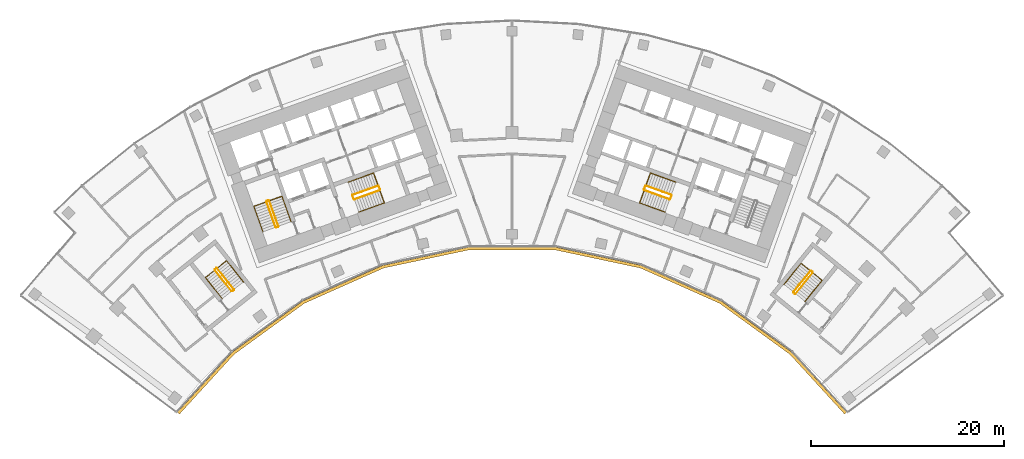
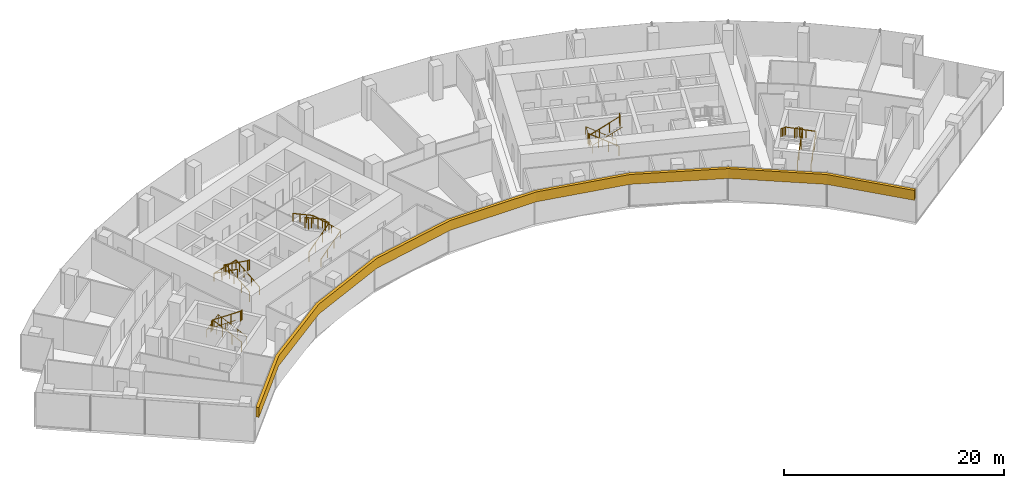
# One storey, part 20 of 21: 15 railings, 1 covering.
"""IFC4 building model written with IfcOpenShell, lengths in metres."""

from ifc_helpers import new_model, si_unit, direction, frame, origin, origin_2d, place, context, subcontext, project, spatial, polyline, circle, outline, extrude, material, layer, layer_set, type_object, element, save


model = new_model("IFC4")

# Units and contexts
model_context = context("Model", 3, precision=1e-05, world=origin(), true_north=direction((0.0, 1.0)))
body_context = subcontext(model_context, "Body", "Model", "MODEL_VIEW")
ifc_project = project(units=[si_unit("LENGTHUNIT", "METRE"), si_unit("AREAUNIT", "SQUARE_METRE"), si_unit("VOLUMEUNIT", "CUBIC_METRE"), si_unit("PLANEANGLEUNIT", "RADIAN"), si_unit("MASSUNIT", "GRAM", prefix="KILO")], contexts=[model_context])

# Site, building, storey
site_placement = place(None, origin())
site = spatial("IfcSite", under=ifc_project, at=site_placement, CompositionType="ELEMENT")
building_placement = place(site_placement, origin())
building = spatial("IfcBuilding", under=site, at=building_placement, Name="Stone Belt Terrace Tower", CompositionType="ELEMENT")
storey_placement = place(building_placement, frame((0.0, 0.0, 151.60009765625)))
storey = spatial("IfcBuildingStorey", under=building, at=storey_placement, Name="L36", CompositionType="ELEMENT", Elevation=151.60009765625)

# Railings
ifc_material_1 = material(Name="Structural steel C345", Category="steel")
railing_type_1 = type_object("IfcRailingType", Name="Stair guard 1100", PredefinedType="GUARDRAIL", material=ifc_material_1)
railing_1_placement = place(storey_placement, frame((-24.2119140625, 45.276123046875, 0.172607421875)))
element("IfcRailing", 1, at=railing_1_placement, inside=storey, type_object=railing_type_1, Name="L36 ST1A stair guard 1", PredefinedType="GUARDRAIL", context=body_context, shape_type="SweptSolid", body=[
    extrude(circle(Radius=0.02392578125, at=origin_2d()), frame((0.0, 0.0, 1.076171875), z_axis=(-0.288228637646, 0.800791768495, 0.525030280985), x_axis=(-0.940908529223, -0.338660803216, 0.0)), (0.0, 0.0, 1.0), 3.289794921875),
    extrude(circle(Radius=0.02392578125, at=origin_2d()), frame((-0.9482421875, 2.634521484375, 2.80322265625), z_axis=(-0.905209821074, 0.424964916, 0.0), x_axis=(-0.424964916, -0.905209821074, 0.0)), (0.0, 0.0, 1.0), 0.070556640625),
    extrude(circle(Radius=0.02392578125, at=origin_2d()), frame((-1.01220703125, 2.66455078125, 2.80322265625), z_axis=(-0.941105063269, -0.338114270461, 0.0), x_axis=(0.338114270461, -0.941105063269, 0.0)), (0.0, 0.0, 1.0), 0.199951171875),
    extrude(circle(Radius=0.02099609375, at=origin_2d()), origin(), (0.0, 0.0, 1.0), 1.052001953125),
    extrude(circle(Radius=0.02099609375, at=origin_2d()), frame((-0.316162109375, 0.878173828125, 0.57568359375)), (0.0, 0.0, 1.0), 1.052001953125),
    extrude(circle(Radius=0.02099609375, at=origin_2d()), frame((-0.632080078125, 1.75634765625, 1.151611328125)), (0.0, 0.0, 1.0), 1.052001953125),
    extrude(circle(Radius=0.02099609375, at=origin_2d()), frame((-0.9482421875, 2.634521484375, 1.727294921875)), (0.0, 0.0, 1.0), 1.052001953125),
    extrude(circle(Radius=0.02099609375, at=origin_2d()), frame((-1.01220703125, 2.66455078125, 1.727294921875)), (0.0, 0.0, 1.0), 1.052001953125),
    extrude(circle(Radius=0.02099609375, at=origin_2d()), frame((-1.200439453125, 2.596923828125, 1.727294921875)), (0.0, 0.0, 1.0), 1.052001953125),
])
railing_2_placement = place(storey_placement, frame((-25.4423828125, 47.80908203125, 2.072509765625)))
element("IfcRailing", 2, at=railing_2_placement, inside=storey, type_object=railing_type_1, Name="L36 ST1A stair guard 2", PredefinedType="GUARDRAIL", context=body_context, shape_type="SweptSolid", body=[
    extrude(circle(Radius=0.02392578125, at=origin_2d()), frame((0.0, 0.0, 1.076171875), z_axis=(0.288228637646, -0.800791768495, 0.525030280985), x_axis=(0.940908529223, 0.338660803216, 0.0)), (0.0, 0.0, 1.0), 3.289794921875),
    extrude(circle(Radius=0.02392578125, at=origin_2d()), frame((0.9482421875, -2.634521484375, 2.80322265625), z_axis=(0.903878284585, -0.427789722475, 0.0), x_axis=(0.427789722475, 0.903878284585, 0.0)), (0.0, 0.0, 1.0), 0.07080078125),
    extrude(circle(Radius=0.02392578125, at=origin_2d()), frame((1.01220703125, -2.664794921875, 2.80322265625), z_axis=(0.940575576748, 0.339584429008, 0.0), x_axis=(-0.339584429008, 0.940575576748, 0.0)), (0.0, 0.0, 1.0), 0.199951171875),
    extrude(circle(Radius=0.02099609375, at=origin_2d()), origin(), (0.0, 0.0, 1.0), 1.052001953125),
    extrude(circle(Radius=0.02099609375, at=origin_2d()), frame((0.316162109375, -0.878173828125, 0.57568359375)), (0.0, 0.0, 1.0), 1.052001953125),
    extrude(circle(Radius=0.02099609375, at=origin_2d()), frame((0.632080078125, -1.75634765625, 1.151611328125)), (0.0, 0.0, 1.0), 1.052001953125),
    extrude(circle(Radius=0.02099609375, at=origin_2d()), frame((0.9482421875, -2.634521484375, 1.727294921875)), (0.0, 0.0, 1.0), 1.052001953125),
    extrude(circle(Radius=0.02099609375, at=origin_2d()), frame((1.01220703125, -2.664794921875, 1.727294921875)), (0.0, 0.0, 1.0), 1.052001953125),
    extrude(circle(Radius=0.02099609375, at=origin_2d()), frame((1.2001953125, -2.596923828125, 1.727294921875)), (0.0, 0.0, 1.0), 1.052001953125),
])
railing_3_placement = place(storey_placement, frame((-16.33837890625, 48.056640625, 0.172607421875)))
element("IfcRailing", 3, at=railing_3_placement, inside=storey, type_object=railing_type_1, Name="L36 ST2A stair guard 1", PredefinedType="GUARDRAIL", context=body_context, shape_type="SweptSolid", body=[
    extrude(circle(Radius=0.02392578125, at=origin_2d()), frame((0.0, 0.0, 1.076171875), z_axis=(0.800808895155, 0.288160591223, 0.52504150989), x_axis=(-0.338583606334, 0.940936311087, 0.0)), (0.0, 0.0, 1.0), 3.289794921875),
    extrude(circle(Radius=0.02392578125, at=origin_2d()), frame((2.634521484375, 0.947998046875, 2.80322265625), z_axis=(0.427789722475, 0.903878284585, 0.0), x_axis=(-0.903878284585, 0.427789722475, 0.0)), (0.0, 0.0, 1.0), 0.07080078125),
    extrude(circle(Radius=0.02392578125, at=origin_2d()), frame((2.664794921875, 1.011962890625, 2.80322265625), z_axis=(-0.338654645739, 0.940910745459, 0.0), x_axis=(-0.940910745459, -0.338654645739, 0.0)), (0.0, 0.0, 1.0), 0.400146484375),
    extrude(circle(Radius=0.02099609375, at=origin_2d()), origin(), (0.0, 0.0, 1.0), 1.052001953125),
    extrude(circle(Radius=0.02099609375, at=origin_2d()), frame((0.878173828125, 0.31591796875, 0.57568359375)), (0.0, 0.0, 1.0), 1.052001953125),
    extrude(circle(Radius=0.02099609375, at=origin_2d()), frame((1.75634765625, 0.632080078125, 1.151611328125)), (0.0, 0.0, 1.0), 1.052001953125),
    extrude(circle(Radius=0.02099609375, at=origin_2d()), frame((2.634521484375, 0.947998046875, 1.727294921875)), (0.0, 0.0, 1.0), 1.052001953125),
    extrude(circle(Radius=0.02099609375, at=origin_2d()), frame((2.664794921875, 1.011962890625, 1.727294921875)), (0.0, 0.0, 1.0), 1.052001953125),
    extrude(circle(Radius=0.02099609375, at=origin_2d()), frame((2.529296875, 1.388427734375, 1.727294921875)), (0.0, 0.0, 1.0), 1.052001953125),
])
railing_4_placement = place(storey_placement, frame((-13.873046875, 49.47509765625, 2.072509765625)))
element("IfcRailing", 4, at=railing_4_placement, inside=storey, type_object=railing_type_1, Name="L36 ST2A stair guard 2", PredefinedType="GUARDRAIL", context=body_context, shape_type="SweptSolid", body=[
    extrude(circle(Radius=0.02392578125, at=origin_2d()), frame((0.0, 0.0, 1.076171875), z_axis=(-0.800808895155, -0.288160591223, 0.52504150989), x_axis=(0.338583606334, -0.940936311087, 0.0)), (0.0, 0.0, 1.0), 3.289794921875),
    extrude(circle(Radius=0.02392578125, at=origin_2d()), frame((-2.634521484375, -0.947998046875, 2.80322265625), z_axis=(-0.427789722475, -0.903878284585, 0.0), x_axis=(0.903878284585, -0.427789722475, 0.0)), (0.0, 0.0, 1.0), 0.07080078125),
    extrude(circle(Radius=0.02392578125, at=origin_2d()), frame((-2.664794921875, -1.011962890625, 2.80322265625), z_axis=(0.338654645739, -0.940910745459, 0.0), x_axis=(0.940910745459, 0.338654645739, 0.0)), (0.0, 0.0, 1.0), 0.400146484375),
    extrude(circle(Radius=0.02099609375, at=origin_2d()), origin(), (0.0, 0.0, 1.0), 1.052001953125),
    extrude(circle(Radius=0.02099609375, at=origin_2d()), frame((-0.878173828125, -0.31591796875, 0.57568359375)), (0.0, 0.0, 1.0), 1.052001953125),
    extrude(circle(Radius=0.02099609375, at=origin_2d()), frame((-1.75634765625, -0.632080078125, 1.151611328125)), (0.0, 0.0, 1.0), 1.052001953125),
    extrude(circle(Radius=0.02099609375, at=origin_2d()), frame((-2.634521484375, -0.947998046875, 1.727294921875)), (0.0, 0.0, 1.0), 1.052001953125),
    extrude(circle(Radius=0.02099609375, at=origin_2d()), frame((-2.664794921875, -1.011962890625, 1.727294921875)), (0.0, 0.0, 1.0), 1.052001953125),
    extrude(circle(Radius=0.02099609375, at=origin_2d()), frame((-2.529296875, -1.388427734375, 1.727294921875)), (0.0, 0.0, 1.0), 1.052001953125),
])
railing_5_placement = place(storey_placement, frame((16.507568359375, 48.527099609375, 0.172607421875)))
element("IfcRailing", 5, at=railing_5_placement, inside=storey, type_object=railing_type_1, Name="L36 ST2B stair guard 1", PredefinedType="GUARDRAIL", context=body_context, shape_type="SweptSolid", body=[
    extrude(circle(Radius=0.02392578125, at=origin_2d()), frame((0.0, 0.0, 1.076171875), z_axis=(-0.800808895155, 0.288160591223, 0.52504150989), x_axis=(-0.338583606334, -0.940936311087, 0.0)), (0.0, 0.0, 1.0), 3.289794921875),
    extrude(circle(Radius=0.02392578125, at=origin_2d()), frame((-2.634521484375, 0.947998046875, 2.80322265625), z_axis=(-0.905209821074, -0.424964916, 0.0), x_axis=(0.424964916, -0.905209821074, 0.0)), (0.0, 0.0, 1.0), 0.070556640625),
    extrude(circle(Radius=0.02392578125, at=origin_2d()), frame((-2.698486328125, 0.91796875, 2.80322265625), z_axis=(-0.338654645739, -0.940910745459, 0.0), x_axis=(0.940910745459, -0.338654645739, 0.0)), (0.0, 0.0, 1.0), 0.400146484375),
    extrude(circle(Radius=0.02099609375, at=origin_2d()), origin(), (0.0, 0.0, 1.0), 1.052001953125),
    extrude(circle(Radius=0.02099609375, at=origin_2d()), frame((-0.878173828125, 0.31591796875, 0.57568359375)), (0.0, 0.0, 1.0), 1.052001953125),
    extrude(circle(Radius=0.02099609375, at=origin_2d()), frame((-1.75634765625, 0.632080078125, 1.151611328125)), (0.0, 0.0, 1.0), 1.052001953125),
    extrude(circle(Radius=0.02099609375, at=origin_2d()), frame((-2.634521484375, 0.947998046875, 1.727294921875)), (0.0, 0.0, 1.0), 1.052001953125),
    extrude(circle(Radius=0.02099609375, at=origin_2d()), frame((-2.698486328125, 0.91796875, 1.727294921875)), (0.0, 0.0, 1.0), 1.052001953125),
    extrude(circle(Radius=0.02099609375, at=origin_2d()), frame((-2.833984375, 0.54150390625, 1.727294921875)), (0.0, 0.0, 1.0), 1.052001953125),
])
railing_6_placement = place(storey_placement, frame((13.703857421875, 49.004638671875, 2.072509765625)))
element("IfcRailing", 6, at=railing_6_placement, inside=storey, type_object=railing_type_1, Name="L36 ST2B stair guard 2", PredefinedType="GUARDRAIL", context=body_context, shape_type="SweptSolid", body=[
    extrude(circle(Radius=0.02392578125, at=origin_2d()), frame((0.0, 0.0, 1.076171875), z_axis=(0.800808895155, -0.288160591223, 0.52504150989), x_axis=(0.338583606334, 0.940936311087, 0.0)), (0.0, 0.0, 1.0), 3.289794921875),
    extrude(circle(Radius=0.02392578125, at=origin_2d()), frame((2.634521484375, -0.947998046875, 2.80322265625), z_axis=(0.905209821074, 0.424964916, 0.0), x_axis=(-0.424964916, 0.905209821074, 0.0)), (0.0, 0.0, 1.0), 0.070556640625),
    extrude(circle(Radius=0.02392578125, at=origin_2d()), frame((2.698486328125, -0.91796875, 2.80322265625), z_axis=(0.338654645739, 0.940910745459, 0.0), x_axis=(-0.940910745459, 0.338654645739, 0.0)), (0.0, 0.0, 1.0), 0.400146484375),
    extrude(circle(Radius=0.02099609375, at=origin_2d()), origin(), (0.0, 0.0, 1.0), 1.052001953125),
    extrude(circle(Radius=0.02099609375, at=origin_2d()), frame((0.878173828125, -0.31591796875, 0.57568359375)), (0.0, 0.0, 1.0), 1.052001953125),
    extrude(circle(Radius=0.02099609375, at=origin_2d()), frame((1.75634765625, -0.632080078125, 1.151611328125)), (0.0, 0.0, 1.0), 1.052001953125),
    extrude(circle(Radius=0.02099609375, at=origin_2d()), frame((2.634521484375, -0.947998046875, 1.727294921875)), (0.0, 0.0, 1.0), 1.052001953125),
    extrude(circle(Radius=0.02099609375, at=origin_2d()), frame((2.698486328125, -0.91796875, 1.727294921875)), (0.0, 0.0, 1.0), 1.052001953125),
    extrude(circle(Radius=0.02099609375, at=origin_2d()), frame((2.833984375, -0.54150390625, 1.727294921875)), (0.0, 0.0, 1.0), 1.052001953125),
])
railing_7_placement = place(storey_placement, frame((-28.814208984375, 38.734619140625, 0.172607421875)))
element("IfcRailing", 7, at=railing_7_placement, inside=storey, type_object=railing_type_1, Name="L36 ST3A stair guard 1", PredefinedType="GUARDRAIL", context=body_context, shape_type="SweptSolid", body=[
    extrude(circle(Radius=0.02392578125, at=origin_2d()), frame((0.0, 0.0, 1.076171875), z_axis=(-0.530306321799, 0.665665785969, 0.525037395288), x_axis=(-0.782143211408, -0.623098705543, 0.0)), (0.0, 0.0, 1.0), 3.289794921875),
    extrude(circle(Radius=0.02392578125, at=origin_2d()), frame((-1.74462890625, 2.18994140625, 2.80322265625), z_axis=(-0.993883734674, 0.110431526075, 0.0), x_axis=(-0.110431526075, -0.993883734674, 0.0)), (0.0, 0.0, 1.0), 0.07080078125),
    extrude(circle(Radius=0.02392578125, at=origin_2d()), frame((-1.81494140625, 2.19775390625, 2.80322265625), z_axis=(-0.782533463299, -0.622608527742, 0.0), x_axis=(0.622608527742, -0.782533463299, 0.0)), (0.0, 0.0, 1.0), 0.199951171875),
    extrude(circle(Radius=0.02099609375, at=origin_2d()), origin(), (0.0, 0.0, 1.0), 1.052001953125),
    extrude(circle(Radius=0.02099609375, at=origin_2d()), frame((-0.58154296875, 0.72998046875, 0.57568359375)), (0.0, 0.0, 1.0), 1.052001953125),
    extrude(circle(Radius=0.02099609375, at=origin_2d()), frame((-1.1630859375, 1.4599609375, 1.151611328125)), (0.0, 0.0, 1.0), 1.052001953125),
    extrude(circle(Radius=0.02099609375, at=origin_2d()), frame((-1.74462890625, 2.18994140625, 1.727294921875)), (0.0, 0.0, 1.0), 1.052001953125),
    extrude(circle(Radius=0.02099609375, at=origin_2d()), frame((-1.81494140625, 2.19775390625, 1.727294921875)), (0.0, 0.0, 1.0), 1.052001953125),
    extrude(circle(Radius=0.02099609375, at=origin_2d()), frame((-1.971435546875, 2.0732421875, 1.727294921875)), (0.0, 0.0, 1.0), 1.052001953125),
])
railing_8_placement = place(storey_placement, frame((-30.793701171875, 40.737548828125, 2.072509765625)))
element("IfcRailing", 8, at=railing_8_placement, inside=storey, type_object=railing_type_1, Name="L36 ST3A stair guard 2", PredefinedType="GUARDRAIL", context=body_context, shape_type="SweptSolid", body=[
    extrude(circle(Radius=0.02392578125, at=origin_2d()), frame((0.0, 0.0, 1.076171875), z_axis=(0.530359659125, -0.665639588968, 0.525016732659), x_axis=(0.782100716982, 0.62315204284, 0.0)), (0.0, 0.0, 1.0), 3.2900390625),
    extrude(circle(Radius=0.02392578125, at=origin_2d()), frame((1.744873046875, -2.18994140625, 2.80322265625), z_axis=(0.993499272973, -0.113838458361, 0.0), x_axis=(0.113838458361, 0.993499272973, 0.0)), (0.0, 0.0, 1.0), 0.07080078125),
    extrude(circle(Radius=0.02392578125, at=origin_2d()), frame((1.815185546875, -2.197998046875, 2.80322265625), z_axis=(0.781464082609, 0.623950228458, 0.0), x_axis=(-0.623950228458, 0.781464082609, 0.0)), (0.0, 0.0, 1.0), 0.199951171875),
    extrude(circle(Radius=0.02099609375, at=origin_2d()), origin(), (0.0, 0.0, 1.0), 1.052001953125),
    extrude(circle(Radius=0.02099609375, at=origin_2d()), frame((0.58154296875, -0.72998046875, 0.57568359375)), (0.0, 0.0, 1.0), 1.052001953125),
    extrude(circle(Radius=0.02099609375, at=origin_2d()), frame((1.163330078125, -1.4599609375, 1.151611328125)), (0.0, 0.0, 1.0), 1.052001953125),
    extrude(circle(Radius=0.02099609375, at=origin_2d()), frame((1.744873046875, -2.18994140625, 1.727294921875)), (0.0, 0.0, 1.0), 1.052001953125),
    extrude(circle(Radius=0.02099609375, at=origin_2d()), frame((1.815185546875, -2.197998046875, 1.727294921875)), (0.0, 0.0, 1.0), 1.052001953125),
    extrude(circle(Radius=0.02099609375, at=origin_2d()), frame((1.971435546875, -2.0732421875, 1.727294921875)), (0.0, 0.0, 1.0), 1.052001953125),
])
railing_9_placement = place(storey_placement, frame((29.39794921875, 38.281982421875, 0.172607421875)))
element("IfcRailing", 9, at=railing_9_placement, inside=storey, type_object=railing_type_1, Name="L36 ST3B stair guard 1", PredefinedType="GUARDRAIL", context=body_context, shape_type="SweptSolid", body=[
    extrude(circle(Radius=0.02392578125, at=origin_2d()), frame((0.0, 0.0, 1.076171875), z_axis=(0.536393061503, 0.660769759217, 0.525038864158), x_axis=(-0.776391310223, 0.630251166924, 0.0)), (0.0, 0.0, 1.0), 3.289794921875),
    extrude(circle(Radius=0.02392578125, at=origin_2d()), frame((1.7646484375, 2.173828125, 2.80322265625), z_axis=(-0.103251414163, 0.994655289773, 0.0), x_axis=(-0.994655289773, -0.103251414163, 0.0)), (0.0, 0.0, 1.0), 0.071044921875),
    extrude(circle(Radius=0.02392578125, at=origin_2d()), frame((1.75732421875, 2.244384765625, 2.80322265625), z_axis=(-0.776561986372, 0.630040856868, 0.0), x_axis=(-0.630040856868, -0.776561986372, 0.0)), (0.0, 0.0, 1.0), 0.199951171875),
    extrude(circle(Radius=0.02099609375, at=origin_2d()), origin(), (0.0, 0.0, 1.0), 1.052001953125),
    extrude(circle(Radius=0.02099609375, at=origin_2d()), frame((0.588134765625, 0.724609375, 0.57568359375)), (0.0, 0.0, 1.0), 1.052001953125),
    extrude(circle(Radius=0.02099609375, at=origin_2d()), frame((1.176513671875, 1.44921875, 1.151611328125)), (0.0, 0.0, 1.0), 1.052001953125),
    extrude(circle(Radius=0.02099609375, at=origin_2d()), frame((1.7646484375, 2.173828125, 1.727294921875)), (0.0, 0.0, 1.0), 1.052001953125),
    extrude(circle(Radius=0.02099609375, at=origin_2d()), frame((1.75732421875, 2.244384765625, 1.727294921875)), (0.0, 0.0, 1.0), 1.052001953125),
    extrude(circle(Radius=0.02099609375, at=origin_2d()), frame((1.60205078125, 2.370361328125, 1.727294921875)), (0.0, 0.0, 1.0), 1.052001953125),
])
railing_10_placement = place(storey_placement, frame((30.9296875, 40.64501953125, 2.072509765625)))
element("IfcRailing", 10, at=railing_10_placement, inside=storey, type_object=railing_type_1, Name="L36 ST3B stair guard 2", PredefinedType="GUARDRAIL", context=body_context, shape_type="SweptSolid", body=[
    extrude(circle(Radius=0.02392578125, at=origin_2d()), frame((0.0, 0.0, 1.076171875), z_axis=(-0.536366759382, -0.660811565066, 0.525013118792), x_axis=(0.776425942316, -0.630208502084, 0.0)), (0.0, 0.0, 1.0), 3.2900390625),
    extrude(circle(Radius=0.02392578125, at=origin_2d()), frame((-1.7646484375, -2.174072265625, 2.80322265625), z_axis=(0.103606084259, -0.994618408891, 0.0), x_axis=(0.994618408891, 0.103606084259, 0.0)), (0.0, 0.0, 1.0), 0.07080078125),
    extrude(circle(Radius=0.02392578125, at=origin_2d()), frame((-1.75732421875, -2.244384765625, 2.80322265625), z_axis=(0.776561986372, -0.630040856868, 0.0), x_axis=(0.630040856868, 0.776561986372, 0.0)), (0.0, 0.0, 1.0), 0.199951171875),
    extrude(circle(Radius=0.02099609375, at=origin_2d()), origin(), (0.0, 0.0, 1.0), 1.052001953125),
    extrude(circle(Radius=0.02099609375, at=origin_2d()), frame((-0.588134765625, -0.724609375, 0.57568359375)), (0.0, 0.0, 1.0), 1.052001953125),
    extrude(circle(Radius=0.02099609375, at=origin_2d()), frame((-1.176513671875, -1.449462890625, 1.151611328125)), (0.0, 0.0, 1.0), 1.052001953125),
    extrude(circle(Radius=0.02099609375, at=origin_2d()), frame((-1.7646484375, -2.174072265625, 1.727294921875)), (0.0, 0.0, 1.0), 1.052001953125),
    extrude(circle(Radius=0.02099609375, at=origin_2d()), frame((-1.75732421875, -2.244384765625, 1.727294921875)), (0.0, 0.0, 1.0), 1.052001953125),
    extrude(circle(Radius=0.02099609375, at=origin_2d()), frame((-1.60205078125, -2.370361328125, 1.727294921875)), (0.0, 0.0, 1.0), 1.052001953125),
])
railing_type_2 = type_object("IfcRailingType", Name="Stair handrail 900", PredefinedType="HANDRAIL", material=ifc_material_1)
railing_11_placement = place(storey_placement, frame((-22.894775390625, 45.750244140625, 0.172607421875)))
element("IfcRailing", 11, at=railing_11_placement, inside=storey, type_object=railing_type_2, Name="L36 ST1A stair handrail 1", PredefinedType="HANDRAIL", context=body_context, shape_type="SweptSolid", body=[
    extrude(circle(Radius=0.02392578125, at=origin_2d()), frame((0.0, 0.0, 0.8759765625), z_axis=(-0.288160591223, 0.800808895155, 0.52504150989), x_axis=(-0.940936311087, -0.338583606334, 0.0)), (0.0, 0.0, 1.0), 3.289794921875),
    extrude(circle(Radius=0.02392578125, at=origin_2d()), frame((-0.947998046875, 2.634521484375, 2.60302734375), z_axis=(-0.939464517435, -0.338106580597, 0.055591012205), x_axis=(0.338630230244, -0.940919532779, 0.0)), (0.0, 0.0, 1.0), 3.10498046875),
    extrude(circle(Radius=0.02392578125, at=origin_2d()), frame((-3.864990234375, 1.584716796875, 2.77587890625), z_axis=(0.288228637646, -0.800791768495, 0.525030280985), x_axis=(0.940908529223, 0.338660803216, 0.0)), (0.0, 0.0, 1.0), 3.289794921875),
    extrude(circle(Radius=0.02099609375, at=origin_2d()), origin(), (0.0, 0.0, 1.0), 0.851806640625),
    extrude(circle(Radius=0.02099609375, at=origin_2d()), frame((-0.31591796875, 0.878173828125, 0.57568359375)), (0.0, 0.0, 1.0), 0.851806640625),
    extrude(circle(Radius=0.02099609375, at=origin_2d()), frame((-0.632080078125, 1.75634765625, 1.151611328125)), (0.0, 0.0, 1.0), 0.851806640625),
    extrude(circle(Radius=0.02099609375, at=origin_2d()), frame((-0.947998046875, 2.634521484375, 1.727294921875)), (0.0, 0.0, 1.0), 0.851806640625),
    extrude(circle(Radius=0.02099609375, at=origin_2d()), frame((-1.92041015625, 2.28466796875, 1.784912109375)), (0.0, 0.0, 1.0), 0.851806640625),
    extrude(circle(Radius=0.02099609375, at=origin_2d()), frame((-2.892578125, 1.9345703125, 1.84228515625)), (0.0, 0.0, 1.0), 0.851806640625),
    extrude(circle(Radius=0.02099609375, at=origin_2d()), frame((-3.864990234375, 1.584716796875, 1.89990234375)), (0.0, 0.0, 1.0), 0.851806640625),
    extrude(circle(Radius=0.02099609375, at=origin_2d()), frame((-3.548828125, 0.70654296875, 2.4755859375)), (0.0, 0.0, 1.0), 0.851806640625),
    extrude(circle(Radius=0.02099609375, at=origin_2d()), frame((-3.23291015625, -0.171630859375, 3.051513671875)), (0.0, 0.0, 1.0), 0.851806640625),
    extrude(circle(Radius=0.02099609375, at=origin_2d()), frame((-2.916748046875, -1.0498046875, 3.627197265625)), (0.0, 0.0, 1.0), 0.851806640625),
])
railing_12_placement = place(storey_placement, frame((-15.8642578125, 46.7392578125, 0.172607421875)))
element("IfcRailing", 12, at=railing_12_placement, inside=storey, type_object=railing_type_2, Name="L36 ST2A stair handrail 1", PredefinedType="HANDRAIL", context=body_context, shape_type="SweptSolid", body=[
    extrude(circle(Radius=0.02392578125, at=origin_2d()), frame((0.0, 0.0, 0.8759765625), z_axis=(0.800791768495, 0.288228637646, 0.525030280985), x_axis=(-0.338660803216, 0.940908529223, 0.0)), (0.0, 0.0, 1.0), 3.289794921875),
    extrude(circle(Radius=0.02392578125, at=origin_2d()), frame((2.634521484375, 0.9482421875, 2.60302734375), z_axis=(-0.338160254016, 0.939637778147, 0.052234935458), x_axis=(-0.940922302781, -0.338622533404, 0.0)), (0.0, 0.0, 1.0), 3.304443359375),
    extrude(circle(Radius=0.02392578125, at=origin_2d()), frame((1.51708984375, 4.05322265625, 2.77587890625), z_axis=(-0.800791768495, -0.288228637646, 0.525030280985), x_axis=(0.338660803216, -0.940908529223, 0.0)), (0.0, 0.0, 1.0), 3.289794921875),
    extrude(circle(Radius=0.02099609375, at=origin_2d()), origin(), (0.0, 0.0, 1.0), 0.851806640625),
    extrude(circle(Radius=0.02099609375, at=origin_2d()), frame((0.878173828125, 0.316162109375, 0.57568359375)), (0.0, 0.0, 1.0), 0.851806640625),
    extrude(circle(Radius=0.02099609375, at=origin_2d()), frame((1.75634765625, 0.632080078125, 1.151611328125)), (0.0, 0.0, 1.0), 0.851806640625),
    extrude(circle(Radius=0.02099609375, at=origin_2d()), frame((2.634521484375, 0.9482421875, 1.727294921875)), (0.0, 0.0, 1.0), 0.851806640625),
    extrude(circle(Radius=0.02099609375, at=origin_2d()), frame((2.261962890625, 1.983154296875, 1.784912109375)), (0.0, 0.0, 1.0), 0.851806640625),
    extrude(circle(Radius=0.02099609375, at=origin_2d()), frame((1.8896484375, 3.018310546875, 1.84228515625)), (0.0, 0.0, 1.0), 0.851806640625),
    extrude(circle(Radius=0.02099609375, at=origin_2d()), frame((1.51708984375, 4.05322265625, 1.89990234375)), (0.0, 0.0, 1.0), 0.851806640625),
    extrude(circle(Radius=0.02099609375, at=origin_2d()), frame((0.638916015625, 3.737060546875, 2.4755859375)), (0.0, 0.0, 1.0), 0.851806640625),
    extrude(circle(Radius=0.02099609375, at=origin_2d()), frame((-0.2392578125, 3.421142578125, 3.051513671875)), (0.0, 0.0, 1.0), 0.851806640625),
    extrude(circle(Radius=0.02099609375, at=origin_2d()), frame((-1.117431640625, 3.10498046875, 3.627197265625)), (0.0, 0.0, 1.0), 0.851806640625),
])
railing_13_placement = place(storey_placement, frame((16.981689453125, 49.84423828125, 0.172607421875)))
element("IfcRailing", 13, at=railing_13_placement, inside=storey, type_object=railing_type_2, Name="L36 ST2B stair handrail 1", PredefinedType="HANDRAIL", context=body_context, shape_type="SweptSolid", body=[
    extrude(circle(Radius=0.02392578125, at=origin_2d()), frame((0.0, 0.0, 0.8759765625), z_axis=(-0.800791768495, 0.288228637646, 0.525030280985), x_axis=(-0.338660803216, -0.940908529223, 0.0)), (0.0, 0.0, 1.0), 3.289794921875),
    extrude(circle(Radius=0.02392578125, at=origin_2d()), frame((-2.634521484375, 0.9482421875, 2.60302734375), z_axis=(-0.338160254016, -0.939637778147, 0.052234935458), x_axis=(0.940922302781, -0.338622533404, 0.0)), (0.0, 0.0, 1.0), 3.304443359375),
    extrude(circle(Radius=0.02392578125, at=origin_2d()), frame((-3.751953125, -2.15673828125, 2.77587890625), z_axis=(0.800791768495, -0.288228637646, 0.525030280985), x_axis=(0.338660803216, 0.940908529223, 0.0)), (0.0, 0.0, 1.0), 3.289794921875),
    extrude(circle(Radius=0.02099609375, at=origin_2d()), origin(), (0.0, 0.0, 1.0), 0.851806640625),
    extrude(circle(Radius=0.02099609375, at=origin_2d()), frame((-0.878173828125, 0.316162109375, 0.57568359375)), (0.0, 0.0, 1.0), 0.851806640625),
    extrude(circle(Radius=0.02099609375, at=origin_2d()), frame((-1.75634765625, 0.632080078125, 1.151611328125)), (0.0, 0.0, 1.0), 0.851806640625),
    extrude(circle(Radius=0.02099609375, at=origin_2d()), frame((-2.634521484375, 0.9482421875, 1.727294921875)), (0.0, 0.0, 1.0), 0.851806640625),
    extrude(circle(Radius=0.02099609375, at=origin_2d()), frame((-3.007080078125, -0.086669921875, 1.784912109375)), (0.0, 0.0, 1.0), 0.851806640625),
    extrude(circle(Radius=0.02099609375, at=origin_2d()), frame((-3.37939453125, -1.121826171875, 1.84228515625)), (0.0, 0.0, 1.0), 0.851806640625),
    extrude(circle(Radius=0.02099609375, at=origin_2d()), frame((-3.751953125, -2.15673828125, 1.89990234375)), (0.0, 0.0, 1.0), 0.851806640625),
    extrude(circle(Radius=0.02099609375, at=origin_2d()), frame((-2.873779296875, -2.472900390625, 2.4755859375)), (0.0, 0.0, 1.0), 0.851806640625),
    extrude(circle(Radius=0.02099609375, at=origin_2d()), frame((-1.99560546875, -2.788818359375, 3.051513671875)), (0.0, 0.0, 1.0), 0.851806640625),
    extrude(circle(Radius=0.02099609375, at=origin_2d()), frame((-1.117431640625, -3.10498046875, 3.627197265625)), (0.0, 0.0, 1.0), 0.851806640625),
])
railing_14_placement = place(storey_placement, frame((-27.836669921875, 39.513427734375, 0.172607421875)))
element("IfcRailing", 14, at=railing_14_placement, inside=storey, type_object=railing_type_2, Name="L36 ST3A stair handrail 1", PredefinedType="HANDRAIL", context=body_context, shape_type="SweptSolid", body=[
    extrude(circle(Radius=0.02392578125, at=origin_2d()), frame((0.0, 0.0, 0.8759765625), z_axis=(-0.530306321799, 0.665665785969, 0.525037395288), x_axis=(-0.782143211408, -0.623098705543, 0.0)), (0.0, 0.0, 1.0), 3.289794921875),
    extrude(circle(Radius=0.02392578125, at=origin_2d()), frame((-1.74462890625, 2.18994140625, 2.60302734375), z_axis=(-0.780661215256, -0.62191806513, 0.061530376721), x_axis=(0.623098705543, -0.782143211408, 0.0)), (0.0, 0.0, 1.0), 2.80517578125),
    extrude(circle(Radius=0.02392578125, at=origin_2d()), frame((-3.9345703125, 0.4453125, 2.77587890625), z_axis=(0.530306321799, -0.665665785969, 0.525037395288), x_axis=(0.782143211408, 0.623098705543, 0.0)), (0.0, 0.0, 1.0), 3.289794921875),
    extrude(circle(Radius=0.02099609375, at=origin_2d()), origin(), (0.0, 0.0, 1.0), 0.851806640625),
    extrude(circle(Radius=0.02099609375, at=origin_2d()), frame((-0.58154296875, 0.72998046875, 0.57568359375)), (0.0, 0.0, 1.0), 0.851806640625),
    extrude(circle(Radius=0.02099609375, at=origin_2d()), frame((-1.1630859375, 1.4599609375, 1.151611328125)), (0.0, 0.0, 1.0), 0.851806640625),
    extrude(circle(Radius=0.02099609375, at=origin_2d()), frame((-1.74462890625, 2.18994140625, 1.727294921875)), (0.0, 0.0, 1.0), 0.851806640625),
    extrude(circle(Radius=0.02099609375, at=origin_2d()), frame((-2.474609375, 1.6083984375, 1.784912109375)), (0.0, 0.0, 1.0), 0.851806640625),
    extrude(circle(Radius=0.02099609375, at=origin_2d()), frame((-3.20458984375, 1.02685546875, 1.84228515625)), (0.0, 0.0, 1.0), 0.851806640625),
    extrude(circle(Radius=0.02099609375, at=origin_2d()), frame((-3.9345703125, 0.4453125, 1.89990234375)), (0.0, 0.0, 1.0), 0.851806640625),
    extrude(circle(Radius=0.02099609375, at=origin_2d()), frame((-3.35302734375, -0.28466796875, 2.4755859375)), (0.0, 0.0, 1.0), 0.851806640625),
    extrude(circle(Radius=0.02099609375, at=origin_2d()), frame((-2.771484375, -1.0146484375, 3.051513671875)), (0.0, 0.0, 1.0), 0.851806640625),
    extrude(circle(Radius=0.02099609375, at=origin_2d()), frame((-2.18994140625, -1.74462890625, 3.627197265625)), (0.0, 0.0, 1.0), 0.851806640625),
])
railing_15_placement = place(storey_placement, frame((30.36865234375, 37.494140625, 0.172607421875)))
element("IfcRailing", 15, at=railing_15_placement, inside=storey, type_object=railing_type_2, Name="L36 ST3B stair handrail 1", PredefinedType="HANDRAIL", context=body_context, shape_type="SweptSolid", body=[
    extrude(circle(Radius=0.02392578125, at=origin_2d()), frame((0.0, 0.0, 0.8759765625), z_axis=(0.536366759382, 0.660811565066, 0.525013118792), x_axis=(-0.776425942316, 0.630208502084, 0.0)), (0.0, 0.0, 1.0), 3.2900390625),
    extrude(circle(Radius=0.02392578125, at=origin_2d()), frame((1.7646484375, 2.174072265625, 2.60302734375), z_axis=(-0.774954966459, 0.629014542119, 0.061526463929), x_axis=(-0.630208502084, -0.776425942316, 0.0)), (0.0, 0.0, 1.0), 2.805419921875),
    extrude(circle(Radius=0.02392578125, at=origin_2d()), frame((-0.409423828125, 3.938720703125, 2.77587890625), z_axis=(-0.536366759382, -0.660811565066, 0.525013118792), x_axis=(0.776425942316, -0.630208502084, 0.0)), (0.0, 0.0, 1.0), 3.2900390625),
    extrude(circle(Radius=0.02099609375, at=origin_2d()), origin(), (0.0, 0.0, 1.0), 0.851806640625),
    extrude(circle(Radius=0.02099609375, at=origin_2d()), frame((0.588134765625, 0.724609375, 0.57568359375)), (0.0, 0.0, 1.0), 0.851806640625),
    extrude(circle(Radius=0.02099609375, at=origin_2d()), frame((1.176513671875, 1.449462890625, 1.151611328125)), (0.0, 0.0, 1.0), 0.851806640625),
    extrude(circle(Radius=0.02099609375, at=origin_2d()), frame((1.7646484375, 2.174072265625, 1.727294921875)), (0.0, 0.0, 1.0), 0.851806640625),
    extrude(circle(Radius=0.02099609375, at=origin_2d()), frame((1.0400390625, 2.76220703125, 1.784912109375)), (0.0, 0.0, 1.0), 0.851806640625),
    extrude(circle(Radius=0.02099609375, at=origin_2d()), frame((0.315185546875, 3.3505859375, 1.84228515625)), (0.0, 0.0, 1.0), 0.851806640625),
    extrude(circle(Radius=0.02099609375, at=origin_2d()), frame((-0.409423828125, 3.938720703125, 1.89990234375)), (0.0, 0.0, 1.0), 0.851806640625),
    extrude(circle(Radius=0.02099609375, at=origin_2d()), frame((-0.99755859375, 3.214111328125, 2.4755859375)), (0.0, 0.0, 1.0), 0.851806640625),
    extrude(circle(Radius=0.02099609375, at=origin_2d()), frame((-1.5859375, 2.4892578125, 3.051513671875)), (0.0, 0.0, 1.0), 0.851806640625),
    extrude(circle(Radius=0.02099609375, at=origin_2d()), frame((-2.174072265625, 1.7646484375, 3.627197265625)), (0.0, 0.0, 1.0), 0.851806640625),
])

# Covering
ifc_material_2 = material(Name="Terracotta coloured glazed ceramic", Category="masonry")
ifc_layer = layer(ifc_material_2, 0.300048828125)
ifc_layer_set = layer_set([ifc_layer], Name="Terracotta spandrel band 300 x 1100")
covering_type = type_object("IfcCoveringType", Name="Terracotta spandrel band 300 x 1100", PredefinedType="CLADDING", material=ifc_layer_set)
covering_placement = place(storey_placement, frame((0.0, 0.0, 2.699951171875)))
element("IfcCovering", 16, at=covering_placement, inside=storey, type_object=covering_type, Name="BAND L36", PredefinedType="CLADDING", context=body_context, shape_type="SweptSolid", body=[
    extrude(outline(polyline([(-34.688720703125, 25.99951171875), (-29.0068359375, 32.21435546875), (-21.674560546875, 37.54150390625), (-13.395751953125, 41.2275390625), (-4.53125, 43.11181640625), (4.53125, 43.11181640625), (13.395751953125, 41.2275390625), (21.674560546875, 37.54150390625), (29.0068359375, 32.21435546875), (34.688720703125, 25.99951171875), (34.46728515625, 25.797119140625), (28.805908203125, 31.989501953125), (21.523681640625, 37.2802734375), (13.302490234375, 40.940673828125), (4.499755859375, 42.811767578125), (-4.499755859375, 42.811767578125), (-13.302490234375, 40.940673828125), (-21.523681640625, 37.2802734375), (-28.805908203125, 31.989501953125), (-34.46728515625, 25.797119140625), (-34.688720703125, 25.99951171875)])), origin(), (0.0, 0.0, 1.0), 1.099853515625),
])

save(model, "model.ifc")
